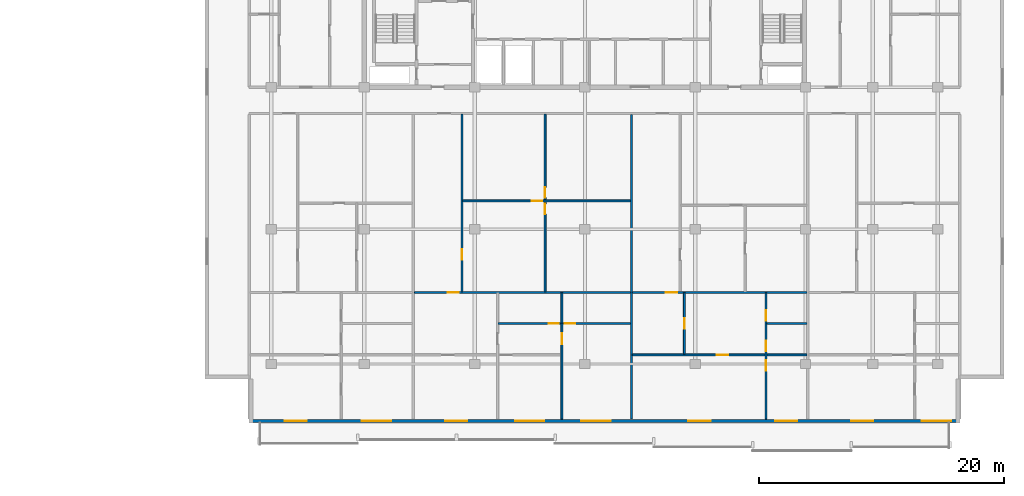
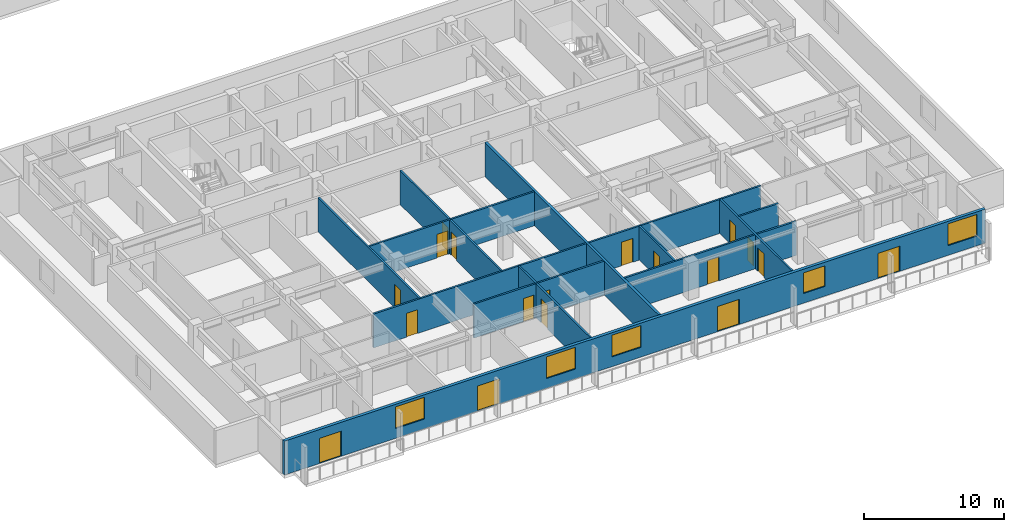
# One storey, part 5 of 22: 18 doors, 14 walls, 5 windows, 23 openings.
"""IFC4 building model written with IfcOpenShell, lengths in metres."""

from ifc_helpers import new_model, si_unit, direction, frame, frame_2d, origin, place, context, subcontext, project, spatial, rectangle, extrude, material, layer, layer_set, type_object, element, fill, save


model = new_model("IFC4")

# Units and contexts
model_context = context("Model", 3, precision=1e-05, world=origin(), true_north=direction((0.0, 1.0)))
body_context = subcontext(model_context, "Body", "Model", "MODEL_VIEW")
ifc_project = project(units=[si_unit("LENGTHUNIT", "METRE"), si_unit("AREAUNIT", "SQUARE_METRE"), si_unit("VOLUMEUNIT", "CUBIC_METRE"), si_unit("PLANEANGLEUNIT", "RADIAN"), si_unit("MASSUNIT", "GRAM", prefix="KILO")], contexts=[model_context])

# Site, building, storey
site_placement = place(None, origin())
site = spatial("IfcSite", under=ifc_project, at=site_placement, CompositionType="ELEMENT")
building_placement = place(site_placement, origin())
building = spatial("IfcBuilding", under=site, at=building_placement, Name="Korimba Cascade Residences", CompositionType="ELEMENT")
storey_placement = place(building_placement, frame((0.0, 0.0, 87.300048828125)))
storey = spatial("IfcBuildingStorey", under=building, at=storey_placement, Name="L24", CompositionType="ELEMENT", Elevation=87.300048828125)

# Wall, openings, doors, windows
ifc_material_1 = material(Name="Precast concrete C40/50", Category="concrete")
ifc_layer_1 = layer(ifc_material_1, 0.25)
ifc_layer_set_1 = layer_set([ifc_layer_1], Name="Precast concrete C40/50")
wall_type_1 = type_object("IfcWallType", Name="EW-LOG-250", PredefinedType="STANDARD", material=ifc_layer_set_1)
wall_1_placement = place(storey_placement, frame((72.699951171875, -8.85009765625, 0.0), z_axis=(0.0, 0.0, 1.0), x_axis=(1.0, 0.0, 0.0)))
wall_1 = element("IfcWall", 1, at=wall_1_placement, inside=storey, type_object=wall_type_1, Name="L24 T2 Perimeter Stone Wall E00", PredefinedType="STANDARD", context=body_context, shape_type="SweptSolid", body=[
    extrude(rectangle(XDim=58.0, YDim=0.25, at=frame_2d((29.0, 0.0))), origin(), (0.0, 0.0, 1.0), 2.969970703125),
])
opening_1_placement = place(wall_1_placement, frame((2.919921875, 0.0, 0.0)))
opening_1 = element("IfcOpeningElement", 2, at=opening_1_placement, cuts=wall_1, Name="Opening D-LG1", PredefinedType="OPENING", context=body_context, shape_type="SweptSolid", body=[
    extrude(rectangle(XDim=1.800048828125, YDim=2.199951171875, at=frame_2d((0.89990234375, 1.10009765625))), frame((0.0, 0.135009765625, 0.0), z_axis=(0.0, -1.0, 0.0), x_axis=(1.0, 0.0, 0.0)), (0.0, 0.0, 1.0), 0.27001953125),
])
opening_2_placement = place(wall_1_placement, frame((9.199951171875, 0.0, 0.85009765625)))
opening_2 = element("IfcOpeningElement", 3, at=opening_2_placement, cuts=wall_1, Name="Opening W-01", PredefinedType="OPENING", context=body_context, shape_type="SweptSolid", body=[
    extrude(rectangle(XDim=2.39990234375, YDim=1.89990234375, at=frame_2d((1.199951171875, 0.949951171875))), frame((0.0, 0.135009765625, 0.0), z_axis=(0.0, -1.0, 0.0), x_axis=(1.0, 0.0, 0.0)), (0.0, 0.0, 1.0), 0.27001953125),
])
opening_3_placement = place(wall_1_placement, frame((21.699951171875, 0.0, 0.85009765625)))
opening_3 = element("IfcOpeningElement", 4, at=opening_3_placement, cuts=wall_1, Name="Opening W-01", PredefinedType="OPENING", context=body_context, shape_type="SweptSolid", body=[
    extrude(rectangle(XDim=2.39990234375, YDim=1.89990234375, at=frame_2d((1.199951171875, 0.949951171875))), frame((0.0, 0.135009765625, 0.0), z_axis=(0.0, -1.0, 0.0), x_axis=(1.0, 0.0, 0.0)), (0.0, 0.0, 1.0), 0.27001953125),
])
opening_4_placement = place(wall_1_placement, frame((16.0, 0.0, 0.0)))
opening_4 = element("IfcOpeningElement", 5, at=opening_4_placement, cuts=wall_1, Name="Opening D-LG1", PredefinedType="OPENING", context=body_context, shape_type="SweptSolid", body=[
    extrude(rectangle(XDim=1.800048828125, YDim=2.199951171875, at=frame_2d((0.89990234375, 1.10009765625))), frame((0.0, 0.135009765625, 0.0), z_axis=(0.0, -1.0, 0.0), x_axis=(1.0, 0.0, 0.0)), (0.0, 0.0, 1.0), 0.27001953125),
])
opening_5_placement = place(wall_1_placement, frame((27.10009765625, 0.0, 0.85009765625)))
opening_5 = element("IfcOpeningElement", 6, at=opening_5_placement, cuts=wall_1, Name="Opening W-01", PredefinedType="OPENING", context=body_context, shape_type="SweptSolid", body=[
    extrude(rectangle(XDim=2.39990234375, YDim=1.89990234375, at=frame_2d((1.199951171875, 0.949951171875))), frame((0.0, 0.135009765625, 0.0), z_axis=(0.0, -1.0, 0.0), x_axis=(1.0, 0.0, 0.0)), (0.0, 0.0, 1.0), 0.27001953125),
])
opening_6_placement = place(wall_1_placement, frame((35.85009765625, 0.0, 0.0)))
opening_6 = element("IfcOpeningElement", 7, at=opening_6_placement, cuts=wall_1, Name="Opening D-LG1", PredefinedType="OPENING", context=body_context, shape_type="SweptSolid", body=[
    extrude(rectangle(XDim=1.800048828125, YDim=2.199951171875, at=frame_2d((0.89990234375, 1.10009765625))), frame((0.0, 0.135009765625, 0.0), z_axis=(0.0, -1.0, 0.0), x_axis=(1.0, 0.0, 0.0)), (0.0, 0.0, 1.0), 0.27001953125),
])
opening_7_placement = place(wall_1_placement, frame((42.929931640625, 0.0, 0.85009765625)))
opening_7 = element("IfcOpeningElement", 8, at=opening_7_placement, cuts=wall_1, Name="Opening W-02", PredefinedType="OPENING", context=body_context, shape_type="SweptSolid", body=[
    extrude(rectangle(XDim=1.800048828125, YDim=1.800048828125, at=frame_2d((0.89990234375, 0.89990234375))), frame((0.0, 0.135009765625, 0.0), z_axis=(0.0, -1.0, 0.0), x_axis=(1.0, 0.0, 0.0)), (0.0, 0.0, 1.0), 0.27001953125),
])
opening_8_placement = place(wall_1_placement, frame((49.1201171875, 0.0, 0.0)))
opening_8 = element("IfcOpeningElement", 9, at=opening_8_placement, cuts=wall_1, Name="Opening D-LG1", PredefinedType="OPENING", context=body_context, shape_type="SweptSolid", body=[
    extrude(rectangle(XDim=1.800048828125, YDim=2.199951171875, at=frame_2d((0.89990234375, 1.10009765625))), frame((0.0, 0.135009765625, 0.0), z_axis=(0.0, -1.0, 0.0), x_axis=(1.0, 0.0, 0.0)), (0.0, 0.0, 1.0), 0.27001953125),
])
opening_9_placement = place(wall_1_placement, frame((54.89990234375, 0.0, 0.85009765625)))
opening_9 = element("IfcOpeningElement", 10, at=opening_9_placement, cuts=wall_1, Name="Opening W-01", PredefinedType="OPENING", context=body_context, shape_type="SweptSolid", body=[
    extrude(rectangle(XDim=2.39990234375, YDim=1.89990234375, at=frame_2d((1.199951171875, 0.949951171875))), frame((0.0, 0.135009765625, 0.0), z_axis=(0.0, -1.0, 0.0), x_axis=(1.0, 0.0, 0.0)), (0.0, 0.0, 1.0), 0.27001953125),
])
ifc_material_2 = material(Name="Glazed Aluminium Loggia Sliding Door", Category="aluminium")
door_type_1 = type_object("IfcDoorType", Name="DR-EXT-LOG", OperationType="NOTDEFINED", PredefinedType="DOOR", material=ifc_material_2)
door_1_placement = place(opening_1_placement, origin())
door_1 = element("IfcDoor", 11, at=door_1_placement, inside=storey, type_object=door_type_1, Name="L24 T2 Loggia Sliding Door 3", OperationType="SLIDING_TO_RIGHT", OverallHeight=2.199951171875, OverallWidth=1.800048828125, PredefinedType="DOOR", context=body_context, shape_type="SweptSolid", body=[
    extrude(rectangle(XDim=1.800048828125, YDim=2.199951171875, at=frame_2d((0.89990234375, 1.10009765625))), frame((0.0, 0.02490234375, 0.0), z_axis=(0.0, -1.0, 0.0), x_axis=(1.0, 0.0, 0.0)), (0.0, 0.0, 1.0), 0.050048828125),
])
fill(opening_1, door_1)
door_2_placement = place(opening_4_placement, origin())
door_2 = element("IfcDoor", 12, at=door_2_placement, inside=storey, type_object=door_type_1, Name="L24 T2 Loggia Sliding Door 6", OperationType="SLIDING_TO_RIGHT", OverallHeight=2.199951171875, OverallWidth=1.800048828125, PredefinedType="DOOR", context=body_context, shape_type="SweptSolid", body=[
    extrude(rectangle(XDim=1.800048828125, YDim=2.199951171875, at=frame_2d((0.89990234375, 1.10009765625))), frame((0.0, 0.02490234375, 0.0), z_axis=(0.0, -1.0, 0.0), x_axis=(1.0, 0.0, 0.0)), (0.0, 0.0, 1.0), 0.050048828125),
])
fill(opening_4, door_2)
door_3_placement = place(opening_6_placement, origin())
door_3 = element("IfcDoor", 13, at=door_3_placement, inside=storey, type_object=door_type_1, Name="L24 T2 Loggia Sliding Door 8", OperationType="SLIDING_TO_RIGHT", OverallHeight=2.199951171875, OverallWidth=1.800048828125, PredefinedType="DOOR", context=body_context, shape_type="SweptSolid", body=[
    extrude(rectangle(XDim=1.800048828125, YDim=2.199951171875, at=frame_2d((0.89990234375, 1.10009765625))), frame((0.0, 0.02490234375, 0.0), z_axis=(0.0, -1.0, 0.0), x_axis=(1.0, 0.0, 0.0)), (0.0, 0.0, 1.0), 0.050048828125),
])
fill(opening_6, door_3)
door_4_placement = place(opening_8_placement, origin())
door_4 = element("IfcDoor", 14, at=door_4_placement, inside=storey, type_object=door_type_1, Name="L24 T2 Loggia Sliding Door 10", OperationType="SLIDING_TO_RIGHT", OverallHeight=2.199951171875, OverallWidth=1.800048828125, PredefinedType="DOOR", context=body_context, shape_type="SweptSolid", body=[
    extrude(rectangle(XDim=1.800048828125, YDim=2.199951171875, at=frame_2d((0.89990234375, 1.10009765625))), frame((0.0, 0.02490234375, 0.0), z_axis=(0.0, -1.0, 0.0), x_axis=(1.0, 0.0, 0.0)), (0.0, 0.0, 1.0), 0.050048828125),
])
fill(opening_8, door_4)
ifc_material_3 = material(Name="Double-Glazed Aluminium Window", Category="aluminium")
window_type_1 = type_object("IfcWindowType", Name="WIN-BED-1800", PartitioningType="SINGLE_PANEL", PredefinedType="WINDOW", material=ifc_material_3)
window_1_placement = place(opening_7_placement, origin())
window_1 = element("IfcWindow", 15, at=window_1_placement, inside=storey, type_object=window_type_1, Name="L24 T2 South Facade Window 9", OverallHeight=1.800048828125, OverallWidth=1.800048828125, PartitioningType="SINGLE_PANEL", PredefinedType="WINDOW", context=body_context, shape_type="SweptSolid", body=[
    extrude(rectangle(XDim=1.800048828125, YDim=1.800048828125, at=frame_2d((0.89990234375, 0.89990234375))), frame((0.0, 0.030029296875, 0.0), z_axis=(0.0, -1.0, 0.0), x_axis=(1.0, 0.0, 0.0)), (0.0, 0.0, 1.0), 0.06005859375),
])
fill(opening_7, window_1)
window_type_2 = type_object("IfcWindowType", Name="WIN-RES-2400", PartitioningType="DOUBLE_PANEL_VERTICAL", PredefinedType="WINDOW", material=ifc_material_3)
window_2_placement = place(opening_2_placement, origin())
window_2 = element("IfcWindow", 16, at=window_2_placement, inside=storey, type_object=window_type_2, Name="L24 T2 South Facade Window 4", OverallHeight=1.89990234375, OverallWidth=2.39990234375, PartitioningType="DOUBLE_PANEL_VERTICAL", PredefinedType="WINDOW", context=body_context, shape_type="SweptSolid", body=[
    extrude(rectangle(XDim=2.39990234375, YDim=1.89990234375, at=frame_2d((1.199951171875, 0.949951171875))), frame((0.0, 0.030029296875, 0.0), z_axis=(0.0, -1.0, 0.0), x_axis=(1.0, 0.0, 0.0)), (0.0, 0.0, 1.0), 0.06005859375),
])
fill(opening_2, window_2)
window_3_placement = place(opening_3_placement, origin())
window_3 = element("IfcWindow", 17, at=window_3_placement, inside=storey, type_object=window_type_2, Name="L24 T2 South Facade Window 5", OverallHeight=1.89990234375, OverallWidth=2.39990234375, PartitioningType="DOUBLE_PANEL_VERTICAL", PredefinedType="WINDOW", context=body_context, shape_type="SweptSolid", body=[
    extrude(rectangle(XDim=2.39990234375, YDim=1.89990234375, at=frame_2d((1.199951171875, 0.949951171875))), frame((0.0, 0.030029296875, 0.0), z_axis=(0.0, -1.0, 0.0), x_axis=(1.0, 0.0, 0.0)), (0.0, 0.0, 1.0), 0.06005859375),
])
fill(opening_3, window_3)
window_4_placement = place(opening_5_placement, origin())
window_4 = element("IfcWindow", 18, at=window_4_placement, inside=storey, type_object=window_type_2, Name="L24 T2 South Facade Window 7", OverallHeight=1.89990234375, OverallWidth=2.39990234375, PartitioningType="DOUBLE_PANEL_VERTICAL", PredefinedType="WINDOW", context=body_context, shape_type="SweptSolid", body=[
    extrude(rectangle(XDim=2.39990234375, YDim=1.89990234375, at=frame_2d((1.199951171875, 0.949951171875))), frame((0.0, 0.030029296875, 0.0), z_axis=(0.0, -1.0, 0.0), x_axis=(1.0, 0.0, 0.0)), (0.0, 0.0, 1.0), 0.06005859375),
])
fill(opening_5, window_4)
window_5_placement = place(opening_9_placement, origin())
window_5 = element("IfcWindow", 19, at=window_5_placement, inside=storey, type_object=window_type_2, Name="L24 T2 South Facade Window 11", OverallHeight=1.89990234375, OverallWidth=2.39990234375, PartitioningType="DOUBLE_PANEL_VERTICAL", PredefinedType="WINDOW", context=body_context, shape_type="SweptSolid", body=[
    extrude(rectangle(XDim=2.39990234375, YDim=1.89990234375, at=frame_2d((1.199951171875, 0.949951171875))), frame((0.0, 0.030029296875, 0.0), z_axis=(0.0, -1.0, 0.0), x_axis=(1.0, 0.0, 0.0)), (0.0, 0.0, 1.0), 0.06005859375),
])
fill(opening_9, window_5)

# Wall
ifc_layer_2 = layer(ifc_material_1, 0.199951171875)
ifc_layer_set_2 = layer_set([ifc_layer_2], Name="Precast concrete C40/50")
wall_type_2 = type_object("IfcWallType", Name="WAL-IT-200", PredefinedType="PARTITIONING", material=ifc_layer_set_2)
wall_2_placement = place(storey_placement, frame((103.89990234375, -8.699951171875, 0.0), z_axis=(0.0, 0.0, 1.0), x_axis=(0.0, 1.0, 0.0)))
element("IfcWall", 20, at=wall_2_placement, inside=storey, type_object=wall_type_2, Name="L24 Partition Wall WAL-L24-T2-DEM-2", PredefinedType="PARTITIONING", context=body_context, shape_type="SweptSolid", body=[
    extrude(rectangle(XDim=24.869873046875, YDim=0.199951171875, at=frame_2d((12.43505859375, 0.0))), origin(), (0.0, 0.0, 1.0), 2.969970703125),
])

# Wall, openings, doors
ifc_material_4 = material(Name="Insulated Acoustic Stud Partition", Category="gypsum")
ifc_layer_3 = layer(ifc_material_4, 0.14990234375)
ifc_layer_set_3 = layer_set([ifc_layer_3], Name="Insulated Acoustic Stud Partition")
wall_type_3 = type_object("IfcWallType", Name="WAL-PART-150", PredefinedType="PARTITIONING", material=ifc_layer_set_3)
wall_3_placement = place(storey_placement, frame((96.85498046875, 1.68994140625, 0.0), z_axis=(0.0, 0.0, 1.0), x_axis=(0.0, 1.0, 0.0)))
wall_3 = element("IfcWall", 21, at=wall_3_placement, inside=storey, type_object=wall_type_3, Name="L24 Partition Wall WAL-L24-T2-U02-FMV", PredefinedType="PARTITIONING", context=body_context, shape_type="SweptSolid", body=[
    extrude(rectangle(XDim=14.5, YDim=0.14990234375, at=frame_2d((7.25, 0.0))), origin(), (0.0, 0.0, 1.0), 2.969970703125),
])
opening_10_placement = place(wall_3_placement, frame((6.340087890625, 0.0, 0.0)))
opening_10 = element("IfcOpeningElement", 22, at=opening_10_placement, cuts=wall_3, Name="Opening D-BT1", PredefinedType="OPENING", context=body_context, shape_type="SweptSolid", body=[
    extrude(rectangle(XDim=0.840087890625, YDim=2.0400390625, at=frame_2d((0.419921875, 1.02001953125))), frame((0.0, 0.0849609375, 0.0), z_axis=(0.0, -1.0, 0.0), x_axis=(1.0, 0.0, 0.0)), (0.0, 0.0, 1.0), 0.169921875),
])
opening_11_placement = place(wall_3_placement, frame((7.679931640625, 0.0, 0.0)))
opening_11 = element("IfcOpeningElement", 23, at=opening_11_placement, cuts=wall_3, Name="Opening D-IN2", PredefinedType="OPENING", context=body_context, shape_type="SweptSolid", body=[
    extrude(rectangle(XDim=0.8798828125, YDim=2.06005859375, at=frame_2d((0.43994140625, 1.030029296875))), frame((0.0, 0.0849609375, 0.0), z_axis=(0.0, -1.0, 0.0), x_axis=(1.0, 0.0, 0.0)), (0.0, 0.0, 1.0), 0.169921875),
])
ifc_material_5 = material(Name="Moisture-Resistant Bathroom Timber Door", Category="wood")
door_type_2 = type_object("IfcDoorType", Name="DR-INT-850", OperationType="NOTDEFINED", PredefinedType="DOOR", material=ifc_material_5)
door_5_placement = place(opening_10_placement, origin())
door_5 = element("IfcDoor", 24, at=door_5_placement, inside=storey, type_object=door_type_2, Name="L24-T2-U02 Wardrobe Door", OperationType="SINGLE_SWING_LEFT", OverallHeight=2.0400390625, OverallWidth=0.840087890625, PredefinedType="DOOR", context=body_context, shape_type="SweptSolid", body=[
    extrude(rectangle(XDim=0.840087890625, YDim=2.0400390625, at=frame_2d((0.419921875, 1.02001953125))), frame((0.0, 0.02490234375, 0.0), z_axis=(0.0, -1.0, 0.0), x_axis=(1.0, 0.0, 0.0)), (0.0, 0.0, 1.0), 0.050048828125),
])
fill(opening_10, door_5)
ifc_material_6 = material(Name="Acoustic Timber Bedroom Door", Category="wood")
door_type_3 = type_object("IfcDoorType", Name="DR-INT-880", OperationType="NOTDEFINED", PredefinedType="DOOR", material=ifc_material_6)
door_6_placement = place(opening_11_placement, origin())
door_6 = element("IfcDoor", 25, at=door_6_placement, inside=storey, type_object=door_type_3, Name="L24-T2-U02 Music Lounge Door", OperationType="SINGLE_SWING_RIGHT", OverallHeight=2.06005859375, OverallWidth=0.8798828125, PredefinedType="DOOR", context=body_context, shape_type="SweptSolid", body=[
    extrude(rectangle(XDim=0.8798828125, YDim=2.06005859375, at=frame_2d((0.43994140625, 1.030029296875))), frame((0.0, 0.02490234375, 0.0), z_axis=(0.0, -1.0, 0.0), x_axis=(1.0, 0.0, 0.0)), (0.0, 0.0, 1.0), 0.050048828125),
])
fill(opening_11, door_6)

# Wall, opening, door
wall_4_placement = place(storey_placement, frame((90.1298828125, 9.1201171875, 0.0), z_axis=(0.0, 0.0, 1.0), x_axis=(1.0, 0.0, 0.0)))
wall_4 = element("IfcWall", 26, at=wall_4_placement, inside=storey, type_object=wall_type_3, Name="L24 Partition Wall WAL-L24-T2-U02-FMH", PredefinedType="PARTITIONING", context=body_context, shape_type="SweptSolid", body=[
    extrude(rectangle(XDim=13.690185546875, YDim=0.14990234375, at=frame_2d((6.84521484375, 0.0))), origin(), (0.0, 0.0, 1.0), 2.969970703125),
])
opening_12_placement = place(wall_4_placement, frame((5.625, 0.0, 0.0)))
opening_12 = element("IfcOpeningElement", 27, at=opening_12_placement, cuts=wall_4, Name="Opening D-IN2", PredefinedType="OPENING", context=body_context, shape_type="SweptSolid", body=[
    extrude(rectangle(XDim=0.8798828125, YDim=2.06005859375, at=frame_2d((0.43994140625, 1.030029296875))), frame((0.0, 0.0849609375, 0.0), z_axis=(0.0, -1.0, 0.0), x_axis=(1.0, 0.0, 0.0)), (0.0, 0.0, 1.0), 0.169921875),
])
door_7_placement = place(opening_12_placement, origin())
door_7 = element("IfcDoor", 28, at=door_7_placement, inside=storey, type_object=door_type_3, Name="L24-T2-U02 Library Salon Door", OperationType="SINGLE_SWING_LEFT", OverallHeight=2.06005859375, OverallWidth=0.8798828125, PredefinedType="DOOR", context=body_context, shape_type="SweptSolid", body=[
    extrude(rectangle(XDim=0.8798828125, YDim=2.06005859375, at=frame_2d((0.43994140625, 1.030029296875))), frame((0.0, 0.02490234375, 0.0), z_axis=(0.0, -1.0, 0.0), x_axis=(1.0, 0.0, 0.0)), (0.0, 0.0, 1.0), 0.050048828125),
])
fill(opening_12, door_7)

wall_5_placement = place(storey_placement, frame((90.070068359375, 1.68994140625, 0.0), z_axis=(0.0, 0.0, 1.0), x_axis=(0.0, 1.0, 0.0)))
wall_5 = element("IfcWall", 29, at=wall_5_placement, inside=storey, type_object=wall_type_3, Name="L24 Partition Wall WAL-L24-T2-U02-FV", PredefinedType="PARTITIONING", context=body_context, shape_type="SweptSolid", body=[
    extrude(rectangle(XDim=14.5, YDim=0.14990234375, at=frame_2d((7.25, 0.0))), origin(), (0.0, 0.0, 1.0), 2.969970703125),
])
opening_13_placement = place(wall_5_placement, frame((2.611083984375, 0.0, 0.0)))
opening_13 = element("IfcOpeningElement", 30, at=opening_13_placement, cuts=wall_5, Name="Opening D-IN2", PredefinedType="OPENING", context=body_context, shape_type="SweptSolid", body=[
    extrude(rectangle(XDim=0.8798828125, YDim=2.06005859375, at=frame_2d((0.43994140625, 1.030029296875))), frame((0.0, 0.0849609375, 0.0), z_axis=(0.0, -1.0, 0.0), x_axis=(1.0, 0.0, 0.0)), (0.0, 0.0, 1.0), 0.169921875),
])
door_8_placement = place(opening_13_placement, origin())
door_8 = element("IfcDoor", 31, at=door_8_placement, inside=storey, type_object=door_type_3, Name="L24-T2-U02 Media Lounge Door", OperationType="SINGLE_SWING_RIGHT", OverallHeight=2.06005859375, OverallWidth=0.8798828125, PredefinedType="DOOR", context=body_context, shape_type="SweptSolid", body=[
    extrude(rectangle(XDim=0.8798828125, YDim=2.06005859375, at=frame_2d((0.43994140625, 1.030029296875))), frame((0.0, 0.02490234375, 0.0), z_axis=(0.0, -1.0, 0.0), x_axis=(1.0, 0.0, 0.0)), (0.0, 0.0, 1.0), 0.050048828125),
])
fill(opening_13, door_8)

# Wall
wall_6_placement = place(storey_placement, frame((98.219970703125, -0.860107421875, 0.0), z_axis=(0.0, 0.0, 1.0), x_axis=(0.0, 1.0, 0.0)))
element("IfcWall", 32, at=wall_6_placement, inside=storey, type_object=wall_type_3, Name="L24 Partition Wall WAL-L24-T2-U02-VBATH", PredefinedType="PARTITIONING", context=body_context, shape_type="SweptSolid", body=[
    extrude(rectangle(XDim=2.47021484375, YDim=0.14990234375, at=frame_2d((1.235107421875, 0.0))), origin(), (0.0, 0.0, 1.0), 2.969970703125),
])

# Wall, opening, door
wall_7_placement = place(storey_placement, frame((98.219970703125, -8.699951171875, 0.0), z_axis=(0.0, 0.0, 1.0), x_axis=(0.0, 1.0, 0.0)))
wall_7 = element("IfcWall", 33, at=wall_7_placement, inside=storey, type_object=wall_type_3, Name="L24 Partition Wall WAL-L24-T2-U02-V2FULL", PredefinedType="PARTITIONING", context=body_context, shape_type="SweptSolid", body=[
    extrude(rectangle(XDim=7.800048828125, YDim=0.14990234375, at=frame_2d((3.89990234375, 0.0))), origin(), (0.0, 0.0, 1.0), 2.969970703125),
])
opening_14_placement = place(wall_7_placement, frame((6.115966796875, 0.0, 0.0)))
opening_14 = element("IfcOpeningElement", 34, at=opening_14_placement, cuts=wall_7, Name="Opening D-IN1", PredefinedType="OPENING", context=body_context, shape_type="SweptSolid", body=[
    extrude(rectangle(XDim=0.919921875, YDim=2.080078125, at=frame_2d((0.4599609375, 1.0400390625))), frame((0.0, 0.0849609375, 0.0), z_axis=(0.0, -1.0, 0.0), x_axis=(1.0, 0.0, 0.0)), (0.0, 0.0, 1.0), 0.169921875),
])
ifc_material_7 = material(Name="Acoustic Timber Living Door", Category="wood")
door_type_4 = type_object("IfcDoorType", Name="DR-INT-920", OperationType="NOTDEFINED", PredefinedType="DOOR", material=ifc_material_7)
door_9_placement = place(opening_14_placement, origin())
door_9 = element("IfcDoor", 35, at=door_9_placement, inside=storey, type_object=door_type_4, Name="L24-T2-U02 Master Bedroom Door", OperationType="SINGLE_SWING_RIGHT", OverallHeight=2.080078125, OverallWidth=0.919921875, PredefinedType="DOOR", context=body_context, shape_type="SweptSolid", body=[
    extrude(rectangle(XDim=0.919921875, YDim=2.080078125, at=frame_2d((0.4599609375, 1.0400390625))), frame((0.0, 0.02490234375, 0.0), z_axis=(0.0, -1.0, 0.0), x_axis=(1.0, 0.0, 0.0)), (0.0, 0.0, 1.0), 0.050048828125),
])
fill(opening_14, door_9)

# Wall, openings, doors
wall_8_placement = place(storey_placement, frame((93.02001953125, -0.8798828125, 0.0), z_axis=(0.0, 0.0, 1.0), x_axis=(1.0, 0.0, 0.0)))
wall_8 = element("IfcWall", 36, at=wall_8_placement, inside=storey, type_object=wall_type_3, Name="L24 Partition Wall WAL-L24-T2-U02-HWALL", PredefinedType="PARTITIONING", context=body_context, shape_type="SweptSolid", body=[
    extrude(rectangle(XDim=10.800048828125, YDim=0.14990234375, at=frame_2d((5.39990234375, 0.0))), origin(), (0.0, 0.0, 1.0), 2.969970703125),
])
opening_15_placement = place(wall_8_placement, frame((4.110107421875, 0.0, 0.0)))
opening_15 = element("IfcOpeningElement", 37, at=opening_15_placement, cuts=wall_8, Name="Opening D-BT1", PredefinedType="OPENING", context=body_context, shape_type="SweptSolid", body=[
    extrude(rectangle(XDim=0.840087890625, YDim=2.0400390625, at=frame_2d((0.419921875, 1.02001953125))), frame((0.0, 0.0849609375, 0.0), z_axis=(0.0, -1.0, 0.0), x_axis=(1.0, 0.0, 0.0)), (0.0, 0.0, 1.0), 0.169921875),
])
opening_16_placement = place(wall_8_placement, frame((5.449951171875, 0.0, 0.0)))
opening_16 = element("IfcOpeningElement", 38, at=opening_16_placement, cuts=wall_8, Name="Opening D-BT1", PredefinedType="OPENING", context=body_context, shape_type="SweptSolid", body=[
    extrude(rectangle(XDim=0.840087890625, YDim=2.0400390625, at=frame_2d((0.419921875, 1.02001953125))), frame((0.0, 0.0849609375, 0.0), z_axis=(0.0, -1.0, 0.0), x_axis=(1.0, 0.0, 0.0)), (0.0, 0.0, 1.0), 0.169921875),
])
door_10_placement = place(opening_15_placement, origin())
door_10 = element("IfcDoor", 39, at=door_10_placement, inside=storey, type_object=door_type_2, Name="L24-T2-U02 Family Bathroom Door", OperationType="SINGLE_SWING_LEFT", OverallHeight=2.0400390625, OverallWidth=0.840087890625, PredefinedType="DOOR", context=body_context, shape_type="SweptSolid", body=[
    extrude(rectangle(XDim=0.840087890625, YDim=2.0400390625, at=frame_2d((0.419921875, 1.02001953125))), frame((0.0, 0.02490234375, 0.0), z_axis=(0.0, -1.0, 0.0), x_axis=(1.0, 0.0, 0.0)), (0.0, 0.0, 1.0), 0.050048828125),
])
fill(opening_15, door_10)
door_11_placement = place(opening_16_placement, origin())
door_11 = element("IfcDoor", 40, at=door_11_placement, inside=storey, type_object=door_type_2, Name="L24-T2-U02 En-Suite Door", OperationType="SINGLE_SWING_RIGHT", OverallHeight=2.0400390625, OverallWidth=0.840087890625, PredefinedType="DOOR", context=body_context, shape_type="SweptSolid", body=[
    extrude(rectangle(XDim=0.840087890625, YDim=2.0400390625, at=frame_2d((0.419921875, 1.02001953125))), frame((0.0, 0.02490234375, 0.0), z_axis=(0.0, -1.0, 0.0), x_axis=(1.0, 0.0, 0.0)), (0.0, 0.0, 1.0), 0.050048828125),
])
fill(opening_16, door_11)

# Wall, opening, door
wall_9_placement = place(storey_placement, frame((86.179931640625, 1.64990234375, 0.0), z_axis=(0.0, 0.0, 1.0), x_axis=(1.0, 0.0, 0.0)))
wall_9 = element("IfcWall", 41, at=wall_9_placement, inside=storey, type_object=wall_type_3, Name="L24 Partition Wall WAL-L24-T2-U02-MW", PredefinedType="PARTITIONING", context=body_context, shape_type="SweptSolid", body=[
    extrude(rectangle(XDim=17.64013671875, YDim=0.14990234375, at=frame_2d((8.820068359375, 0.0))), origin(), (0.0, 0.0, 1.0), 2.969970703125),
])
opening_17_placement = place(wall_9_placement, frame((2.719970703125, 0.0, 0.0)))
opening_17 = element("IfcOpeningElement", 42, at=opening_17_placement, cuts=wall_9, Name="Opening D-IN1", PredefinedType="OPENING", context=body_context, shape_type="SweptSolid", body=[
    extrude(rectangle(XDim=0.919921875, YDim=2.080078125, at=frame_2d((0.4599609375, 1.0400390625))), frame((0.0, 0.0849609375, 0.0), z_axis=(0.0, -1.0, 0.0), x_axis=(1.0, 0.0, 0.0)), (0.0, 0.0, 1.0), 0.169921875),
])
door_12_placement = place(opening_17_placement, origin())
door_12 = element("IfcDoor", 43, at=door_12_placement, inside=storey, type_object=door_type_4, Name="L24-T2-U02 Kitchen Door", OperationType="SINGLE_SWING_LEFT", OverallHeight=2.080078125, OverallWidth=0.919921875, PredefinedType="DOOR", context=body_context, shape_type="SweptSolid", body=[
    extrude(rectangle(XDim=0.919921875, YDim=2.080078125, at=frame_2d((0.4599609375, 1.0400390625))), frame((0.0, 0.02490234375, 0.0), z_axis=(0.0, -1.0, 0.0), x_axis=(1.0, 0.0, 0.0)), (0.0, 0.0, 1.0), 0.050048828125),
])
fill(opening_17, door_12)

wall_10_placement = place(storey_placement, frame((108.219970703125, -3.389892578125, 0.0), z_axis=(0.0, 0.0, 1.0), x_axis=(0.0, 1.0, 0.0)))
wall_10 = element("IfcWall", 44, at=wall_10_placement, inside=storey, type_object=wall_type_3, Name="L24 Partition Wall WAL-L24-T2-U03-VDIN", PredefinedType="PARTITIONING", context=body_context, shape_type="SweptSolid", body=[
    extrude(rectangle(XDim=5.0, YDim=0.14990234375, at=frame_2d((2.5, 0.0))), origin(), (0.0, 0.0, 1.0), 2.969970703125),
])
opening_18_placement = place(wall_10_placement, frame((2.06005859375, 0.0, 0.0)))
opening_18 = element("IfcOpeningElement", 45, at=opening_18_placement, cuts=wall_10, Name="Opening D-IN2", PredefinedType="OPENING", context=body_context, shape_type="SweptSolid", body=[
    extrude(rectangle(XDim=0.8798828125, YDim=2.06005859375, at=frame_2d((0.43994140625, 1.030029296875))), frame((0.0, 0.0849609375, 0.0), z_axis=(0.0, -1.0, 0.0), x_axis=(1.0, 0.0, 0.0)), (0.0, 0.0, 1.0), 0.169921875),
])
door_13_placement = place(opening_18_placement, origin())
door_13 = element("IfcDoor", 46, at=door_13_placement, inside=storey, type_object=door_type_3, Name="L24-T2-U03 Dining Room Door", OperationType="SINGLE_SWING_LEFT", OverallHeight=2.06005859375, OverallWidth=0.8798828125, PredefinedType="DOOR", context=body_context, shape_type="SweptSolid", body=[
    extrude(rectangle(XDim=0.8798828125, YDim=2.06005859375, at=frame_2d((0.43994140625, 1.030029296875))), frame((0.0, 0.02490234375, 0.0), z_axis=(0.0, -1.0, 0.0), x_axis=(1.0, 0.0, 0.0)), (0.0, 0.0, 1.0), 0.050048828125),
])
fill(opening_18, door_13)

# Wall
wall_11_placement = place(storey_placement, frame((114.93994140625, -0.889892578125, 0.0), z_axis=(0.0, 0.0, 1.0), x_axis=(1.0, 0.0, 0.0)))
element("IfcWall", 47, at=wall_11_placement, inside=storey, type_object=wall_type_3, Name="L24 Partition Wall WAL-L24-T2-U03-BLDIV", PredefinedType="PARTITIONING", context=body_context, shape_type="SweptSolid", body=[
    extrude(rectangle(XDim=3.280029296875, YDim=0.14990234375, at=frame_2d((1.64013671875, 0.0))), origin(), (0.0, 0.0, 1.0), 2.969970703125),
])

# Wall, openings, doors
wall_12_placement = place(storey_placement, frame((114.8798828125, -8.699951171875, 0.0), z_axis=(0.0, 0.0, 1.0), x_axis=(0.0, 1.0, 0.0)))
wall_12 = element("IfcWall", 48, at=wall_12_placement, inside=storey, type_object=wall_type_3, Name="L24 Partition Wall WAL-L24-T2-U03-V1", PredefinedType="PARTITIONING", context=body_context, shape_type="SweptSolid", body=[
    extrude(rectangle(XDim=10.31005859375, YDim=0.14990234375, at=frame_2d((5.155029296875, 0.0))), origin(), (0.0, 0.0, 1.0), 2.969970703125),
])
opening_19_placement = place(wall_12_placement, frame((5.550048828125, 0.0, 0.0)))
opening_19 = element("IfcOpeningElement", 49, at=opening_19_placement, cuts=wall_12, Name="Opening D-BT1", PredefinedType="OPENING", context=body_context, shape_type="SweptSolid", body=[
    extrude(rectangle(XDim=0.840087890625, YDim=2.0400390625, at=frame_2d((0.419921875, 1.02001953125))), frame((0.0, 0.0849609375, 0.0), z_axis=(0.0, -1.0, 0.0), x_axis=(1.0, 0.0, 0.0)), (0.0, 0.0, 1.0), 0.169921875),
])
opening_20_placement = place(wall_12_placement, frame((8.03955078125, 0.0, 0.0)))
opening_20 = element("IfcOpeningElement", 50, at=opening_20_placement, cuts=wall_12, Name="Opening D-BT1", PredefinedType="OPENING", context=body_context, shape_type="SweptSolid", body=[
    extrude(rectangle(XDim=0.840087890625, YDim=2.0400390625, at=frame_2d((0.419921875, 1.02001953125))), frame((0.0, 0.0849609375, 0.0), z_axis=(0.0, -1.0, 0.0), x_axis=(1.0, 0.0, 0.0)), (0.0, 0.0, 1.0), 0.169921875),
])
opening_21_placement = place(wall_12_placement, frame((3.949951171875, 0.0, 0.0)))
opening_21 = element("IfcOpeningElement", 51, at=opening_21_placement, cuts=wall_12, Name="Opening D-IN2", PredefinedType="OPENING", context=body_context, shape_type="SweptSolid", body=[
    extrude(rectangle(XDim=0.8798828125, YDim=2.06005859375, at=frame_2d((0.43994140625, 1.030029296875))), frame((0.0, 0.0849609375, 0.0), z_axis=(0.0, -1.0, 0.0), x_axis=(1.0, 0.0, 0.0)), (0.0, 0.0, 1.0), 0.169921875),
])
door_14_placement = place(opening_19_placement, origin())
door_14 = element("IfcDoor", 52, at=door_14_placement, inside=storey, type_object=door_type_2, Name="L24-T2-U03 Bathroom Door", OperationType="SINGLE_SWING_RIGHT", OverallHeight=2.0400390625, OverallWidth=0.840087890625, PredefinedType="DOOR", context=body_context, shape_type="SweptSolid", body=[
    extrude(rectangle(XDim=0.840087890625, YDim=2.0400390625, at=frame_2d((0.419921875, 1.02001953125))), frame((0.0, 0.02490234375, 0.0), z_axis=(0.0, -1.0, 0.0), x_axis=(1.0, 0.0, 0.0)), (0.0, 0.0, 1.0), 0.050048828125),
])
fill(opening_19, door_14)
door_15_placement = place(opening_20_placement, origin())
door_15 = element("IfcDoor", 53, at=door_15_placement, inside=storey, type_object=door_type_2, Name="L24-T2-U03 Laundry Door", OperationType="SINGLE_SWING_LEFT", OverallHeight=2.0400390625, OverallWidth=0.840087890625, PredefinedType="DOOR", context=body_context, shape_type="SweptSolid", body=[
    extrude(rectangle(XDim=0.840087890625, YDim=2.0400390625, at=frame_2d((0.419921875, 1.02001953125))), frame((0.0, 0.02490234375, 0.0), z_axis=(0.0, -1.0, 0.0), x_axis=(1.0, 0.0, 0.0)), (0.0, 0.0, 1.0), 0.050048828125),
])
fill(opening_20, door_15)
door_16_placement = place(opening_21_placement, origin())
door_16 = element("IfcDoor", 54, at=door_16_placement, inside=storey, type_object=door_type_3, Name="L24-T2-U03 Bedroom 1 Door", OperationType="SINGLE_SWING_RIGHT", OverallHeight=2.06005859375, OverallWidth=0.8798828125, PredefinedType="DOOR", context=body_context, shape_type="SweptSolid", body=[
    extrude(rectangle(XDim=0.8798828125, YDim=2.06005859375, at=frame_2d((0.43994140625, 1.030029296875))), frame((0.0, 0.02490234375, 0.0), z_axis=(0.0, -1.0, 0.0), x_axis=(1.0, 0.0, 0.0)), (0.0, 0.0, 1.0), 0.050048828125),
])
fill(opening_21, door_16)

# Wall, opening, door
wall_13_placement = place(storey_placement, frame((103.97998046875, 1.64990234375, 0.0), z_axis=(0.0, 0.0, 1.0), x_axis=(1.0, 0.0, 0.0)))
wall_13 = element("IfcWall", 55, at=wall_13_placement, inside=storey, type_object=wall_type_3, Name="L24 Partition Wall WAL-L24-T2-U03-MW", PredefinedType="PARTITIONING", context=body_context, shape_type="SweptSolid", body=[
    extrude(rectangle(XDim=14.239990234375, YDim=0.14990234375, at=frame_2d((7.1201171875, 0.0))), origin(), (0.0, 0.0, 1.0), 2.969970703125),
])
opening_22_placement = place(wall_13_placement, frame((2.719970703125, 0.0, 0.0)))
opening_22 = element("IfcOpeningElement", 56, at=opening_22_placement, cuts=wall_13, Name="Opening D-IN1", PredefinedType="OPENING", context=body_context, shape_type="SweptSolid", body=[
    extrude(rectangle(XDim=0.919921875, YDim=2.080078125, at=frame_2d((0.4599609375, 1.0400390625))), frame((0.0, 0.0849609375, 0.0), z_axis=(0.0, -1.0, 0.0), x_axis=(1.0, 0.0, 0.0)), (0.0, 0.0, 1.0), 0.169921875),
])
door_17_placement = place(opening_22_placement, origin())
door_17 = element("IfcDoor", 57, at=door_17_placement, inside=storey, type_object=door_type_4, Name="L24-T2-U03 Kitchen Archway Door", OperationType="SINGLE_SWING_LEFT", OverallHeight=2.080078125, OverallWidth=0.919921875, PredefinedType="DOOR", context=body_context, shape_type="SweptSolid", body=[
    extrude(rectangle(XDim=0.919921875, YDim=2.080078125, at=frame_2d((0.4599609375, 1.0400390625))), frame((0.0, 0.02490234375, 0.0), z_axis=(0.0, -1.0, 0.0), x_axis=(1.0, 0.0, 0.0)), (0.0, 0.0, 1.0), 0.050048828125),
])
fill(opening_22, door_17)

wall_14_placement = place(storey_placement, frame((103.97998046875, -3.449951171875, 0.0), z_axis=(0.0, 0.0, 1.0), x_axis=(1.0, 0.0, 0.0)))
wall_14 = element("IfcWall", 58, at=wall_14_placement, inside=storey, type_object=wall_type_3, Name="L24 Partition Wall WAL-L24-T2-U03-HZ", PredefinedType="PARTITIONING", context=body_context, shape_type="SweptSolid", body=[
    extrude(rectangle(XDim=14.239990234375, YDim=0.14990234375, at=frame_2d((7.1201171875, 0.0))), origin(), (0.0, 0.0, 1.0), 2.969970703125),
])
opening_23_placement = place(wall_14_placement, frame((6.8720703125, 0.0, 0.0)))
opening_23 = element("IfcOpeningElement", 59, at=opening_23_placement, cuts=wall_14, Name="Opening D-IN0", PredefinedType="OPENING", context=body_context, shape_type="SweptSolid", body=[
    extrude(rectangle(XDim=0.93994140625, YDim=2.10009765625, at=frame_2d((0.469970703125, 1.050048828125))), frame((0.0, 0.0849609375, 0.0), z_axis=(0.0, -1.0, 0.0), x_axis=(1.0, 0.0, 0.0)), (0.0, 0.0, 1.0), 0.169921875),
])
ifc_material_8 = material(Name="Acoustic Timber Living Archway Door", Category="wood")
door_type_5 = type_object("IfcDoorType", Name="DR-INT-950", OperationType="NOTDEFINED", PredefinedType="DOOR", material=ifc_material_8)
door_18_placement = place(opening_23_placement, origin())
door_18 = element("IfcDoor", 60, at=door_18_placement, inside=storey, type_object=door_type_5, Name="L24-T2-U03 Living Archway Door", OperationType="SINGLE_SWING_RIGHT", OverallHeight=2.10009765625, OverallWidth=0.93994140625, PredefinedType="DOOR", context=body_context, shape_type="SweptSolid", body=[
    extrude(rectangle(XDim=0.93994140625, YDim=2.10009765625, at=frame_2d((0.469970703125, 1.050048828125))), frame((0.0, 0.02490234375, 0.0), z_axis=(0.0, -1.0, 0.0), x_axis=(1.0, 0.0, 0.0)), (0.0, 0.0, 1.0), 0.050048828125),
])
fill(opening_23, door_18)

save(model, "model.ifc")
